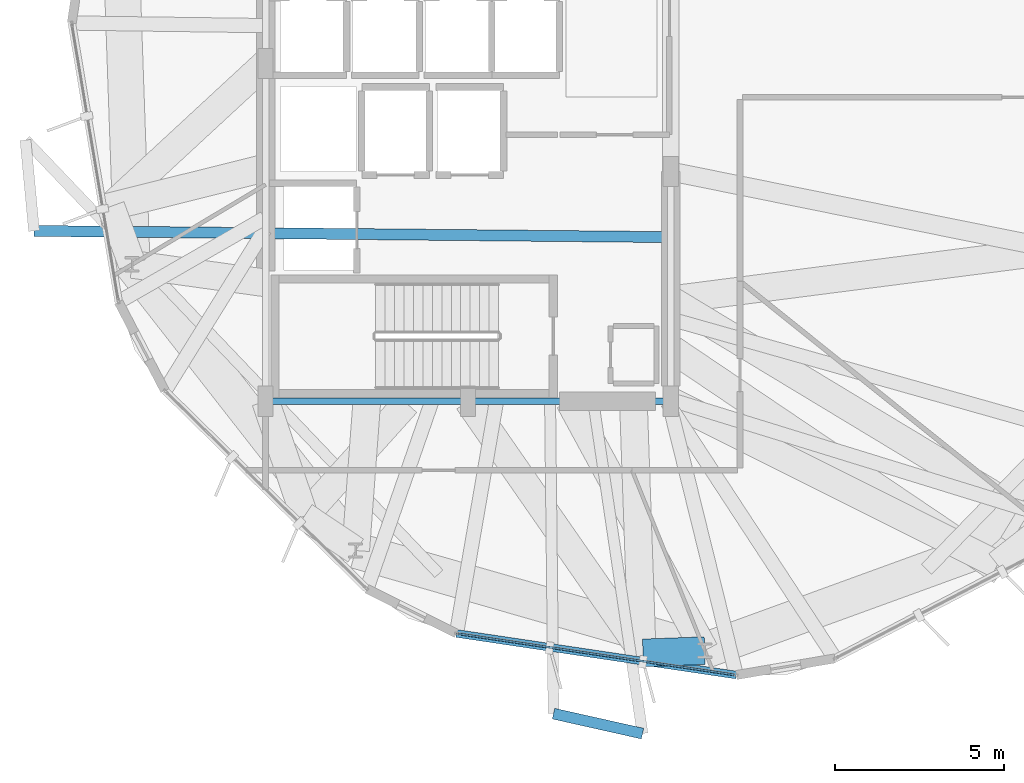
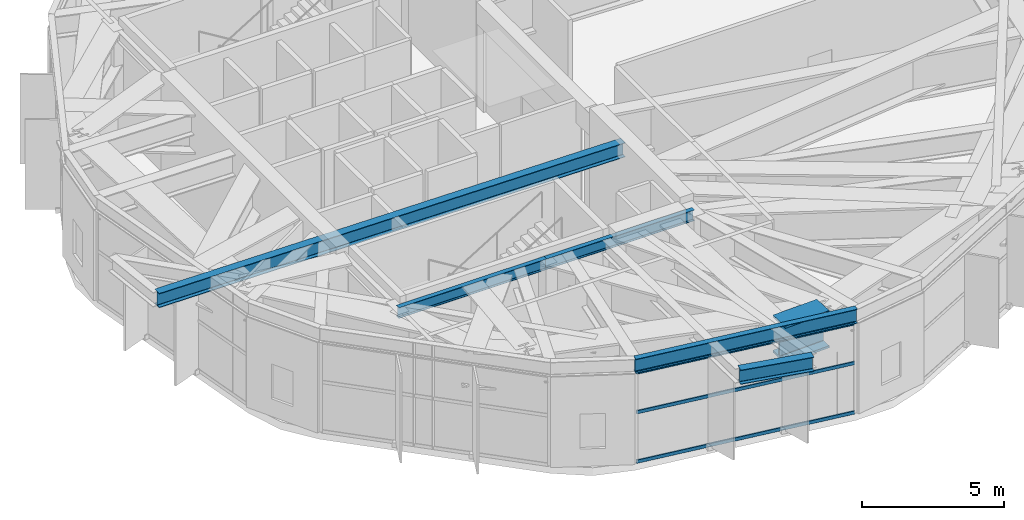
# One storey, part 6 of 27: 6 beams, 3 members, 1 element without a shape of its own.
"""IFC4 building model written with IfcOpenShell, lengths in metres."""

from ifc_helpers import new_model, si_unit, direction, frame, origin, origin_2d, place, context, subcontext, project, spatial, hollow_rectangle, i_section, extrude, material, layer, layer_set, material_profile, profile_set, type_object, element, aggregate, save


model = new_model("IFC4")

# Units and contexts
model_context = context("Model", 3, precision=1e-05, world=origin(), true_north=direction((0.0, 1.0)))
body_context = subcontext(model_context, "Body", "Model", "MODEL_VIEW")
ifc_project = project(units=[si_unit("LENGTHUNIT", "METRE"), si_unit("AREAUNIT", "SQUARE_METRE"), si_unit("VOLUMEUNIT", "CUBIC_METRE"), si_unit("PLANEANGLEUNIT", "RADIAN"), si_unit("MASSUNIT", "GRAM", prefix="KILO")], contexts=[model_context])

# Site, building, storey
site_placement = place(None, origin())
site = spatial("IfcSite", under=ifc_project, at=site_placement, CompositionType="ELEMENT")
building_placement = place(site_placement, origin())
building = spatial("IfcBuilding", under=site, at=building_placement, Name="Soratama Intermodal Tower", CompositionType="ELEMENT")
storey_placement = place(building_placement, frame((0.0, 0.0, 134.199951171875)))
storey = spatial("IfcBuildingStorey", under=building, at=storey_placement, Name="L32", CompositionType="ELEMENT", Elevation=134.199951171875)

# Beams
ifc_material_1 = material(Name="Structural steel ASTM A992 Grade 50", Category="steel")
ifc_material_profile_1 = material_profile(ifc_material_1, i_section(OverallWidth=0.324951171875, OverallDepth=0.615966796875, WebThickness=0.013916015625, FlangeThickness=0.021484375, FilletRadius=0.013916015625, at=origin_2d()), Name="W24X117")
ifc_profile_set_1 = profile_set([ifc_material_profile_1], Name="Structural steel ASTM A992 Grade 50")
beam_type_1 = type_object("IfcBeamType", Name="BM-CANT-W24X117", PredefinedType="BEAM", material=ifc_profile_set_1)
beam_1_placement = place(storey_placement, frame((41.1279296875, 5.743896484375, 4.192138671875), z_axis=(0.975807192622, -0.218632849379, 0.0), x_axis=(0.218632849379, 0.975807192622, 0.0)))
element("IfcBeam", 1, at=beam_1_placement, inside=storey, type_object=beam_type_1, Name="BM-L32-CBHDR-4", PredefinedType="BEAM", context=body_context, shape_type="SweptSolid", body=[
    extrude(i_section(OverallWidth=0.324951171875, OverallDepth=0.615966796875, WebThickness=0.013916015625, FlangeThickness=0.021484375, FilletRadius=0.013916015625, at=origin_2d()), origin(), (0.0, 0.0, 1.0), 2.702392578125),
])
beam_2_placement = place(storey_placement, frame((44.56005859375, 19.85693359375, 4.192138671875), z_axis=(-0.999952153028, 0.009782211137, 0.0), x_axis=(-0.009782211137, -0.999952153028, 0.0)))
element("IfcBeam", 2, at=beam_2_placement, inside=storey, type_object=beam_type_1, Name="BM-L32-CANT-3-2", PredefinedType="BEAM", context=body_context, shape_type="SweptSolid", body=[
    extrude(i_section(OverallWidth=0.324951171875, OverallDepth=0.615966796875, WebThickness=0.013916015625, FlangeThickness=0.021484375, FilletRadius=0.013916015625, at=origin_2d()), origin(), (0.0, 0.0, 1.0), 18.818115234375),
])
ifc_material_2 = material(Name="Structural steel ASTM A992 Grade 50", Category="steel")
ifc_material_profile_2 = material_profile(ifc_material_2, i_section(OverallWidth=0.19091796875, OverallDepth=0.4599609375, WebThickness=0.010009765625, FlangeThickness=0.01611328125, FilletRadius=0.010986328125, at=origin_2d()), Name="W18X55")
ifc_profile_set_2 = profile_set([ifc_material_profile_2], Name="Structural steel ASTM A992 Grade 50")
beam_type_2 = type_object("IfcBeamType", Name="BM-FLR-W18X55", PredefinedType="BEAM", material=ifc_profile_set_2)
for number, where, z_axis, x_axis, name in (
    (3, (32.60009765625, 15.0, 4.27001953125), (1.0, 0.0, 0.0), (0.0, 1.0, 0.0), "BM-L32-CRING-01"),
    (4, (38.60009765625, 15.0, 4.27001953125), (1.0, 0.0, 0.0), (0.0, 1.0, 0.0), "BM-L32-CRING-02"),
):
    element("IfcBeam", number, at=place(storey_placement, frame(where, z_axis=z_axis, x_axis=x_axis)), inside=storey, type_object=beam_type_2, Name=name, PredefinedType="BEAM", context=body_context, shape_type="SweptSolid", body=[
        extrude(i_section(OverallWidth=0.19091796875, OverallDepth=0.4599609375, WebThickness=0.010009765625, FlangeThickness=0.01611328125, FilletRadius=0.010986328125, at=origin_2d()), origin(), (0.0, 0.0, 1.0), 6.0),
    ])
ifc_material_3 = material(Name="Structural steel ASTM A992 Grade 50", Category="steel")
ifc_material_profile_3 = material_profile(ifc_material_3, i_section(OverallWidth=0.22900390625, OverallDepth=0.612060546875, WebThickness=0.011962890625, FlangeThickness=0.01953125, FilletRadius=0.012939453125, at=origin_2d()), Name="W24X84")
ifc_profile_set_3 = profile_set([ifc_material_profile_3], Name="Structural steel ASTM A992 Grade 50")
beam_type_3 = type_object("IfcBeamType", Name="BM-SPN-W24X84", PredefinedType="SPANDREL", material=ifc_profile_set_3)
beam_3_placement = place(storey_placement, frame((38.2548828125, 8.118896484375, 4.194091796875), z_axis=(0.989125389055, -0.147074690982, 0.0), x_axis=(0.147074690982, 0.989125389055, 0.0)))
element("IfcBeam", 5, at=beam_3_placement, inside=storey, type_object=beam_type_3, Name="BS-L32-F07", PredefinedType="SPANDREL", context=body_context, shape_type="SweptSolid", body=[
    extrude(i_section(OverallWidth=0.22900390625, OverallDepth=0.612060546875, WebThickness=0.011962890625, FlangeThickness=0.01953125, FilletRadius=0.012939453125, at=origin_2d()), origin(), (0.0, 0.0, 1.0), 8.376220703125),
])
ifc_material_4 = material(Name="Structural steel ASTM A992 Grade 50", Category="steel")
ifc_material_profile_4 = material_profile(ifc_material_4, i_section(OverallWidth=0.820068359375, OverallDepth=1.60205078125, WebThickness=0.055908203125, FlangeThickness=0.092041015625, FilletRadius=0.02392578125, at=origin_2d()), Name="PG1600X650")
ifc_profile_set_4 = profile_set([ifc_material_profile_4], Name="Structural steel ASTM A992 Grade 50")
beam_type_4 = type_object("IfcBeamType", Name="BM-ZSTEP-PG1600", PredefinedType="BEAM", material=ifc_profile_set_4)
beam_4_placement = place(storey_placement, frame((45.60693359375, 7.611083984375, 3.698974609375), z_axis=(-0.999306397388, -0.037238745141, 0.0), x_axis=(0.037238745141, -0.999306397388, 0.0)))
element("IfcBeam", 6, at=beam_4_placement, inside=storey, type_object=beam_type_4, Name="BM-L32-ZSTEP-A08", PredefinedType="BEAM", context=body_context, shape_type="SweptSolid", body=[
    extrude(i_section(OverallWidth=0.820068359375, OverallDepth=1.60205078125, WebThickness=0.055908203125, FlangeThickness=0.092041015625, FilletRadius=0.02392578125, at=origin_2d()), origin(), (0.0, 0.0, 1.0), 1.8291015625),
])

# Curtain wall, members
ifc_material_5 = material(Name="Double-glazed aluminium curtain wall", Category="aluminium")
ifc_layer = layer(ifc_material_5, 0.159912109375)
ifc_layer_set = layer_set([ifc_layer], Name="Double-glazed aluminium curtain wall")
curtain_wall_type = type_object("IfcCurtainWallType", Name="CW-SYS-3", PredefinedType="NOTDEFINED", material=ifc_layer_set)
curtain_wall_placement = place(storey_placement, origin())
curtain_wall = element("IfcCurtainWall", 7, at=curtain_wall_placement, inside=storey, type_object=curtain_wall_type, Name="L32 Faceted Curtain Wall F07", PredefinedType="NOTDEFINED")
ifc_material_6 = material(Name="Anodised aluminium AA 6063-T6", Category="aluminium")
ifc_material_profile_5 = material_profile(ifc_material_6, hollow_rectangle(XDim=0.06494140625, YDim=0.14990234375, WallThickness=0.0048828125, InnerFilletRadius=0.0048828125, OuterFilletRadius=0.010009765625, at=origin_2d()), Name="CWT150X65X5")
ifc_profile_set_5 = profile_set([ifc_material_profile_5], Name="Anodised aluminium AA 6063-T6")
member_type = type_object("IfcMemberType", Name="TT-CWT-1", PredefinedType="USERDEFINED", material=ifc_profile_set_5)
member_1_placement = place(storey_placement, frame((38.314453125, 8.110107421875, 0.030029296875), z_axis=(0.989119310408, -0.147115566064, 0.0), x_axis=(0.147115566064, 0.989119310408, 0.0)))
member_1 = element("IfcMember", 8, at=member_1_placement, type_object=member_type, Name="CW-3 transom 1.1", ObjectType="TRANSOM", PredefinedType="USERDEFINED", context=body_context, shape_type="SweptSolid", body=[
    extrude(hollow_rectangle(XDim=0.06494140625, YDim=0.14990234375, WallThickness=0.0048828125, InnerFilletRadius=0.0048828125, OuterFilletRadius=0.010009765625, at=origin_2d()), origin(), (0.0, 0.0, 1.0), 8.256103515625),
])
member_2_placement = place(storey_placement, frame((38.314453125, 8.110107421875, 2.150146484375), z_axis=(0.989119310408, -0.147115566064, 0.0), x_axis=(0.147115566064, 0.989119310408, 0.0)))
member_2 = element("IfcMember", 9, at=member_2_placement, type_object=member_type, Name="CW-3 transom 1.2", ObjectType="TRANSOM", PredefinedType="USERDEFINED", context=body_context, shape_type="SweptSolid", body=[
    extrude(hollow_rectangle(XDim=0.06494140625, YDim=0.14990234375, WallThickness=0.0048828125, InnerFilletRadius=0.0048828125, OuterFilletRadius=0.010009765625, at=origin_2d()), origin(), (0.0, 0.0, 1.0), 8.256103515625),
])
member_3_placement = place(storey_placement, frame((38.314453125, 8.110107421875, 3.84912109375), z_axis=(0.989119310408, -0.147115566064, 0.0), x_axis=(0.147115566064, 0.989119310408, 0.0)))
member_3 = element("IfcMember", 10, at=member_3_placement, type_object=member_type, Name="CW-3 transom 1.3", ObjectType="TRANSOM", PredefinedType="USERDEFINED", context=body_context, shape_type="SweptSolid", body=[
    extrude(hollow_rectangle(XDim=0.06494140625, YDim=0.14990234375, WallThickness=0.0048828125, InnerFilletRadius=0.0048828125, OuterFilletRadius=0.010009765625, at=origin_2d()), origin(), (0.0, 0.0, 1.0), 8.256103515625),
])
aggregate(curtain_wall, [member_1, member_2, member_3])

save(model, "model.ifc")
